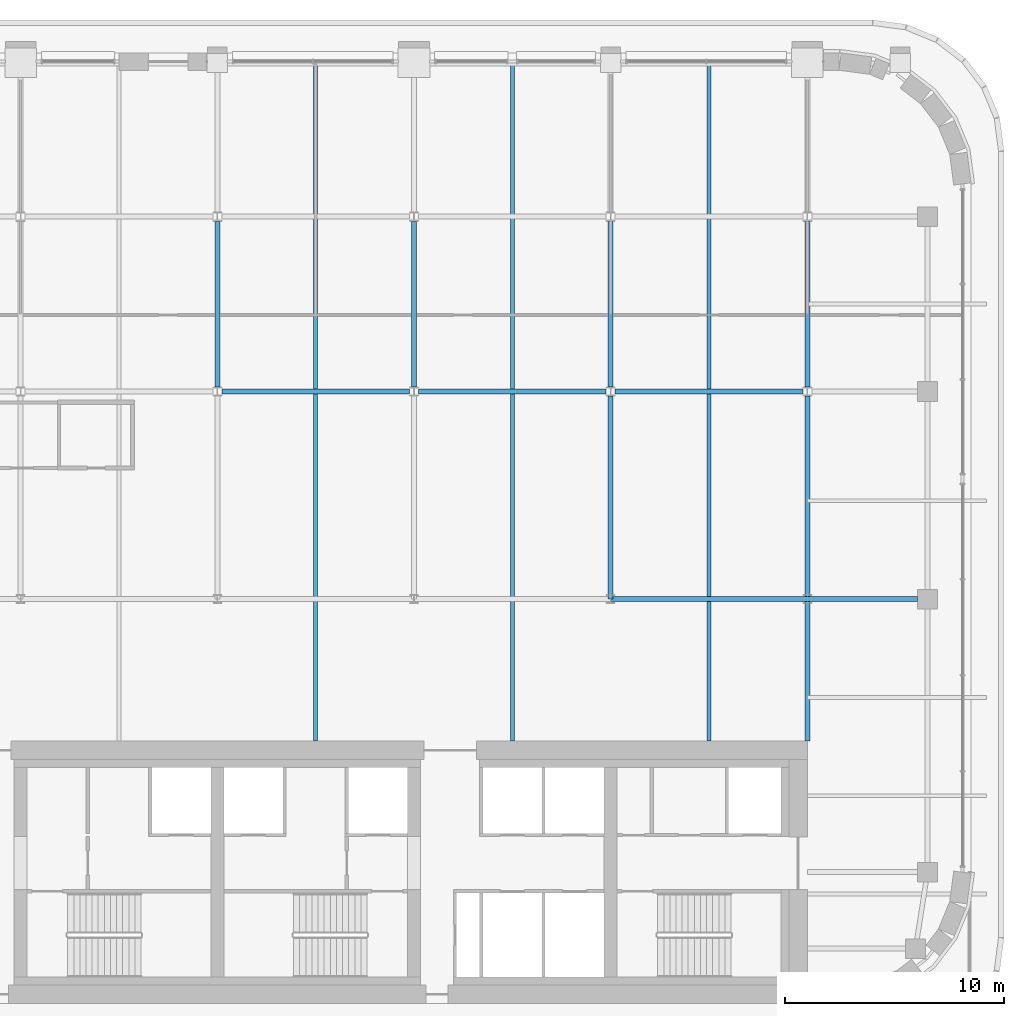
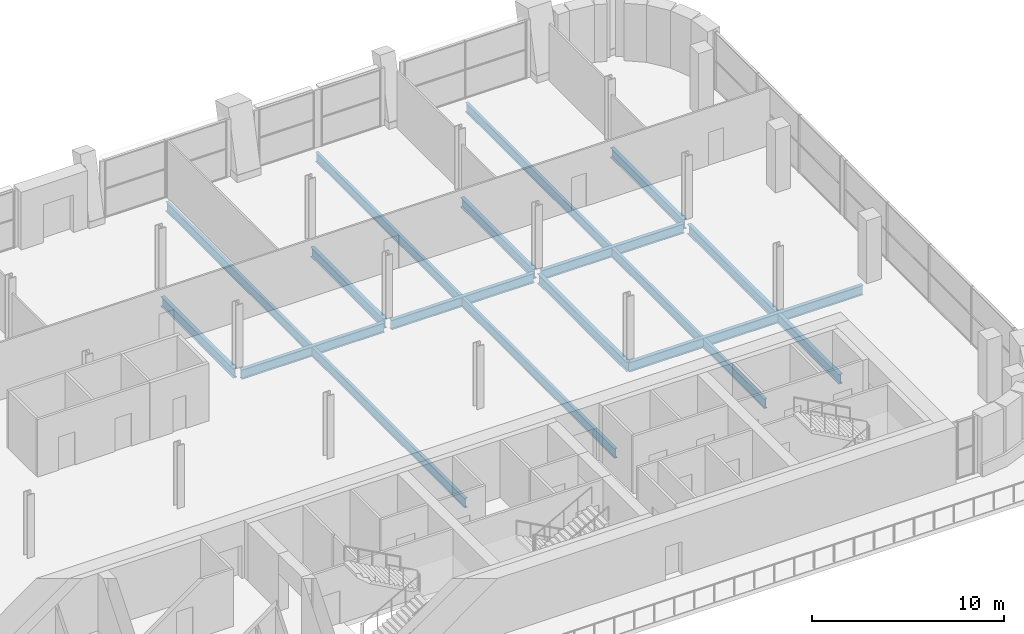
# One storey, part 6 of 23: 13 beams.
"""IFC4 building model written with IfcOpenShell, lengths in metres."""

from ifc_helpers import new_model, si_unit, direction, frame, origin, origin_2d, place, context, subcontext, project, spatial, i_section, extrude, material, material_profile, profile_set, type_object, element, save


model = new_model("IFC4")

# Units and contexts
model_context = context("Model", 3, precision=1e-05, world=origin(), true_north=direction((0.0, 1.0)))
body_context = subcontext(model_context, "Body", "Model", "MODEL_VIEW")
ifc_project = project(units=[si_unit("LENGTHUNIT", "METRE"), si_unit("AREAUNIT", "SQUARE_METRE"), si_unit("VOLUMEUNIT", "CUBIC_METRE"), si_unit("PLANEANGLEUNIT", "RADIAN"), si_unit("MASSUNIT", "GRAM", prefix="KILO")], contexts=[model_context])

# Site, building, storey
site_placement = place(None, origin())
site = spatial("IfcSite", under=ifc_project, at=site_placement, CompositionType="ELEMENT")
building_placement = place(site_placement, origin())
building = spatial("IfcBuilding", under=site, at=building_placement, Name="Zellij Exchange Tower", CompositionType="ELEMENT")
storey_placement = place(building_placement, frame((0.0, 0.0, 212.5)))
storey = spatial("IfcBuildingStorey", under=building, at=storey_placement, Name="L49", CompositionType="ELEMENT", Elevation=212.5)

# Beams
ifc_material = material(Name="Structural steel ASTM A992 Gr 50", Category="steel")
ifc_material_profile_1 = material_profile(ifc_material, i_section(OverallWidth=0.177978515625, OverallDepth=0.599365234375, WebThickness=0.010009765625, FlangeThickness=0.012939453125, at=origin_2d()), Name="W24x55")
ifc_profile_set_1 = profile_set([ifc_material_profile_1], Name="Structural steel ASTM A992 Gr 50")
beam_type_1 = type_object("IfcBeamType", Name="STR-BEAM W24x55", PredefinedType="BEAM", material=ifc_profile_set_1)
for number, where, z_axis, x_axis, name in (
    (1, (4.5, -2.0, -0.599609375), (0.0, 1.0, 0.0), (-1.0, 0.0, 0.0), "B4"),
    (2, (13.5, -2.0, -0.599609375), (0.0, 1.0, 0.0), (-1.0, 0.0, 0.0), "B4"),
    (3, (22.5, -2.0, -0.599609375), (0.0, 1.0, 0.0), (-1.0, 0.0, 0.0), "B4"),
):
    element("IfcBeam", number, at=place(storey_placement, frame(where, z_axis=z_axis, x_axis=x_axis)), inside=storey, type_object=beam_type_1, Name=name, PredefinedType="BEAM", context=body_context, shape_type="SweptSolid", body=[
        extrude(i_section(OverallWidth=0.177978515625, OverallDepth=0.599365234375, WebThickness=0.010009765625, FlangeThickness=0.012939453125, at=origin_2d()), origin(), (0.0, 0.0, 1.0), 31.1142578125),
    ])
ifc_material_profile_2 = material_profile(ifc_material, i_section(OverallWidth=0.228271484375, OverallDepth=0.607177734375, WebThickness=0.01123046875, FlangeThickness=0.017333984375, at=origin_2d()), Name="W24x76")
ifc_profile_set_2 = profile_set([ifc_material_profile_2], Name="Structural steel ASTM A992 Gr 50")
beam_type_2 = type_object("IfcBeamType", Name="STR-GIRDER W24x76", PredefinedType="BEAM", material=ifc_profile_set_2)
beam_1_placement = place(storey_placement, frame((18.0, 4.5, -0.603515625), z_axis=(1.0, 0.0, 0.0), x_axis=(0.0, 1.0, 0.0)))
element("IfcBeam", 4, at=beam_1_placement, inside=storey, type_object=beam_type_2, Name="G2", PredefinedType="BEAM", context=body_context, shape_type="SweptSolid", body=[
    extrude(i_section(OverallWidth=0.228271484375, OverallDepth=0.607177734375, WebThickness=0.01123046875, FlangeThickness=0.017333984375, at=origin_2d()), origin(), (0.0, 0.0, 1.0), 14.050048828125),
])
for number, where, z_axis, x_axis, name in (
    (5, (0.20458984375, 14.0, -0.603515625), (1.0, 0.0, 0.0), (0.0, 1.0, 0.0), "G2"),
    (6, (9.20458984375, 14.0, -0.603515625), (1.0, 0.0, 0.0), (0.0, 1.0, 0.0), "G2"),
    (7, (18.20458984375, 14.0, -0.603515625), (1.0, 0.0, 0.0), (0.0, 1.0, 0.0), "G2"),
):
    element("IfcBeam", number, at=place(storey_placement, frame(where, z_axis=z_axis, x_axis=x_axis)), inside=storey, type_object=beam_type_2, Name=name, PredefinedType="BEAM", context=body_context, shape_type="SweptSolid", body=[
        extrude(i_section(OverallWidth=0.228271484375, OverallDepth=0.607177734375, WebThickness=0.01123046875, FlangeThickness=0.017333984375, at=origin_2d()), origin(), (0.0, 0.0, 1.0), 8.5908203125),
    ])
for number, where, z_axis, x_axis, name in (
    (8, (0.0, 14.212158203125, -0.603515625), (0.0, 1.0, 0.0), (-1.0, 0.0, 0.0), "G2"),
    (9, (9.0, 14.212158203125, -0.603515625), (0.0, 1.0, 0.0), (-1.0, 0.0, 0.0), "G2"),
):
    element("IfcBeam", number, at=place(storey_placement, frame(where, z_axis=z_axis, x_axis=x_axis)), inside=storey, type_object=beam_type_2, Name=name, PredefinedType="BEAM", context=body_context, shape_type="SweptSolid", body=[
        extrude(i_section(OverallWidth=0.228271484375, OverallDepth=0.607177734375, WebThickness=0.01123046875, FlangeThickness=0.017333984375, at=origin_2d()), origin(), (0.0, 0.0, 1.0), 7.57568359375),
    ])
beam_2_placement = place(storey_placement, frame((18.0, 4.5, -0.603515625), z_axis=(0.0, 1.0, 0.0), x_axis=(-1.0, 0.0, 0.0)))
element("IfcBeam", 10, at=beam_2_placement, inside=storey, type_object=beam_type_2, Name="G2", PredefinedType="BEAM", context=body_context, shape_type="SweptSolid", body=[
    extrude(i_section(OverallWidth=0.228271484375, OverallDepth=0.607177734375, WebThickness=0.01123046875, FlangeThickness=0.017333984375, at=origin_2d()), origin(), (0.0, 0.0, 1.0), 9.287841796875),
])
beam_3_placement = place(storey_placement, frame((18.0, 14.212158203125, -0.603515625), z_axis=(0.0, 1.0, 0.0), x_axis=(-1.0, 0.0, 0.0)))
element("IfcBeam", 11, at=beam_3_placement, inside=storey, type_object=beam_type_2, Name="G2", PredefinedType="BEAM", context=body_context, shape_type="SweptSolid", body=[
    extrude(i_section(OverallWidth=0.228271484375, OverallDepth=0.607177734375, WebThickness=0.01123046875, FlangeThickness=0.017333984375, at=origin_2d()), origin(), (0.0, 0.0, 1.0), 7.57568359375),
])
beam_4_placement = place(storey_placement, frame((27.0, -2.0, -0.603515625), z_axis=(0.0, 1.0, 0.0), x_axis=(-1.0, 0.0, 0.0)))
element("IfcBeam", 12, at=beam_4_placement, inside=storey, type_object=beam_type_2, Name="G2", PredefinedType="BEAM", context=body_context, shape_type="SweptSolid", body=[
    extrude(i_section(OverallWidth=0.228271484375, OverallDepth=0.607177734375, WebThickness=0.01123046875, FlangeThickness=0.017333984375, at=origin_2d()), origin(), (0.0, 0.0, 1.0), 15.787841796875),
])
beam_5_placement = place(storey_placement, frame((27.0, 14.212158203125, -0.603515625), z_axis=(0.0, 1.0, 0.0), x_axis=(-1.0, 0.0, 0.0)))
element("IfcBeam", 13, at=beam_5_placement, inside=storey, type_object=beam_type_2, Name="G2", PredefinedType="BEAM", context=body_context, shape_type="SweptSolid", body=[
    extrude(i_section(OverallWidth=0.228271484375, OverallDepth=0.607177734375, WebThickness=0.01123046875, FlangeThickness=0.017333984375, at=origin_2d()), origin(), (0.0, 0.0, 1.0), 7.57568359375),
])

save(model, "model.ifc")
